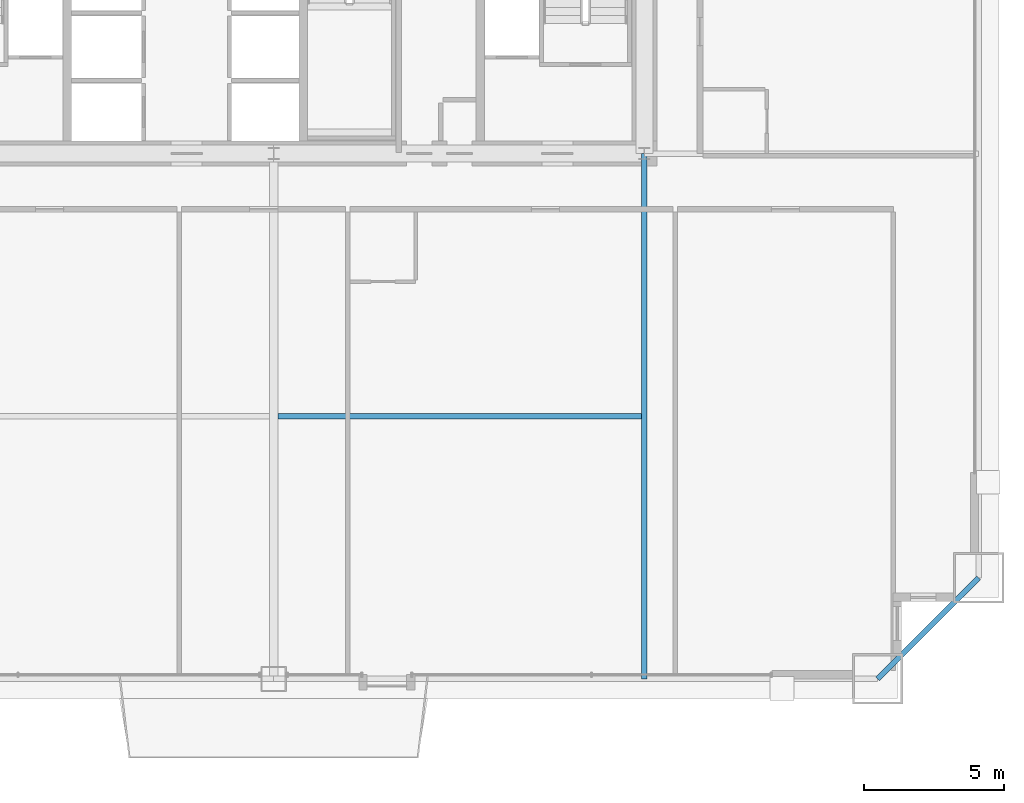
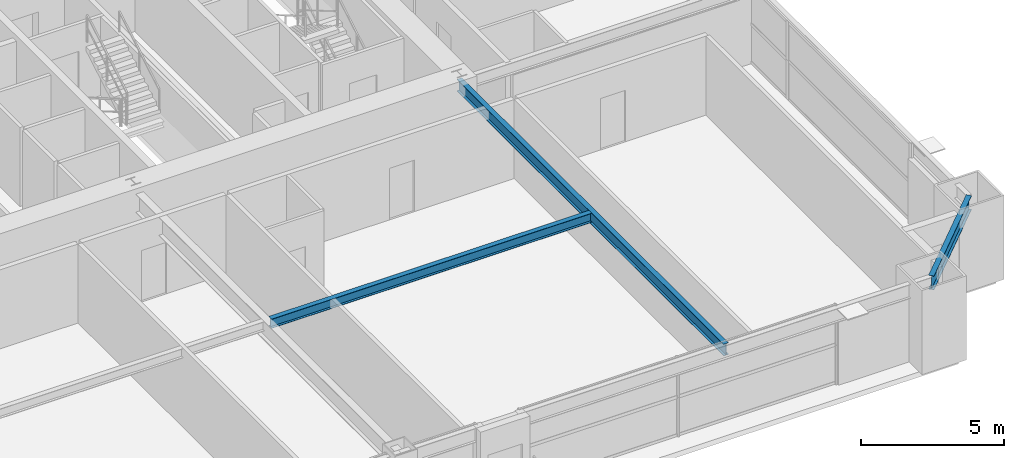
# One storey, part 16 of 43: 3 beams.
"""IFC4 building model written with IfcOpenShell, lengths in metres."""

from ifc_helpers import new_model, si_unit, direction, frame, origin, origin_2d, place, context, subcontext, project, spatial, i_section, extrude, source, transform, mapped, material, material_profile, profile_set, type_object, element, save


model = new_model("IFC4")

# Units and contexts
model_context = context("Model", 3, precision=1e-05, world=origin(), true_north=direction((0.0, 1.0)))
body_context = subcontext(model_context, "Body", "Model", "MODEL_VIEW")
ifc_project = project(units=[si_unit("LENGTHUNIT", "METRE"), si_unit("AREAUNIT", "SQUARE_METRE"), si_unit("VOLUMEUNIT", "CUBIC_METRE"), si_unit("PLANEANGLEUNIT", "RADIAN"), si_unit("MASSUNIT", "GRAM", prefix="KILO"), si_unit("THERMODYNAMICTEMPERATUREUNIT", "KELVIN"), si_unit("POWERUNIT", "WATT")], contexts=[model_context])

# Site, building, storey
site_placement = place(None, origin())
site = spatial("IfcSite", under=ifc_project, at=site_placement, CompositionType="ELEMENT")
building_placement = place(site_placement, origin())
building = spatial("IfcBuilding", under=site, at=building_placement, Name="Yuzanri Waterfront Tower", CompositionType="ELEMENT")
storey_placement = place(building_placement, frame((0.0, 0.0, 78.39990234375)))
storey = spatial("IfcBuildingStorey", under=building, at=storey_placement, Name="L20", CompositionType="ELEMENT", Elevation=78.39990234375)

# Beams
ifc_material_1 = material(Name="Steel Q355B", Category="steel")
ifc_material_profile_1 = material_profile(ifc_material_1, i_section(OverallWidth=0.199951171875, OverallDepth=0.60009765625, WebThickness=0.010986328125, FlangeThickness=0.01708984375, at=origin_2d()), Name="HN 600x200x11x17")
ifc_profile_set_1 = profile_set([ifc_material_profile_1], Name="Steel Q355B")
beam_type_1 = type_object("IfcBeamType", Name="Perimeter Spandrel Q355B HN 600x200", PredefinedType="SPANDREL", material=ifc_profile_set_1)
shared_shape_1 = source(origin(), body_context, "Body", "SweptSolid", [
    extrude(i_section(OverallWidth=0.199951171875, OverallDepth=0.60009765625, WebThickness=0.010986328125, FlangeThickness=0.01708984375, at=origin_2d()), origin(), (0.0, 0.0, 1.0), 5.09130859375),
])
beam_1_placement = place(storey_placement, frame((58.5, 0.699951171875, 3.080078125), z_axis=(0.707106781187, 0.707106781187, 0.0), x_axis=(-0.707106781187, 0.707106781187, 0.0)))
element("IfcBeam", 1, at=beam_1_placement, inside=storey, type_object=beam_type_1, Name="L20 Perimeter Spandrel S3-E1", PredefinedType="SPANDREL", context=body_context, shape_type="MappedRepresentation", body=[
    mapped(shared_shape_1, transform((0.0, 0.0, 0.0), scale=1.0)),
])
ifc_material_2 = material(Name="Steel Q355B", Category="steel")
ifc_material_profile_2 = material_profile(ifc_material_2, i_section(OverallWidth=0.199951171875, OverallDepth=0.5, WebThickness=0.010009765625, FlangeThickness=0.01611328125, at=origin_2d()), Name="HN 500x200x10x16")
ifc_profile_set_2 = profile_set([ifc_material_profile_2], Name="Steel Q355B")
beam_type_2 = type_object("IfcBeamType", Name="Secondary Floor Beam Q355B HN 500x200", PredefinedType="BEAM", material=ifc_profile_set_2)
shared_shape_2 = source(origin(), body_context, "Body", "SweptSolid", [
    extrude(i_section(OverallWidth=0.199951171875, OverallDepth=0.5, WebThickness=0.010009765625, FlangeThickness=0.01611328125, at=origin_2d()), origin(), (0.0, 0.0, 1.0), 18.699951171875),
])
beam_2_placement = place(storey_placement, frame((50.199951171875, 19.39990234375, 3.130126953125), z_axis=(0.0, -1.0, 0.0), x_axis=(1.0, 0.0, 0.0)))
element("IfcBeam", 2, at=beam_2_placement, inside=storey, type_object=beam_type_2, Name="L20 South-East Core Line Beam", PredefinedType="BEAM", context=body_context, shape_type="MappedRepresentation", body=[
    mapped(shared_shape_2, transform((0.0, 0.0, 0.0), scale=1.0)),
])
ifc_material_3 = material(Name="Steel Q355B", Category="steel")
ifc_material_profile_3 = material_profile(ifc_material_3, i_section(OverallWidth=0.199951171875, OverallDepth=0.39990234375, WebThickness=0.008056640625, FlangeThickness=0.012939453125, at=origin_2d()), Name="HN 400x200x8x13")
ifc_profile_set_3 = profile_set([ifc_material_profile_3], Name="Steel Q355B")
beam_type_3 = type_object("IfcBeamType", Name="Floor Joist Q355B HN 400x200", PredefinedType="JOIST", material=ifc_profile_set_3)
shared_shape_3 = source(origin(), body_context, "Body", "SweptSolid", [
    extrude(i_section(OverallWidth=0.199951171875, OverallDepth=0.39990234375, WebThickness=0.008056640625, FlangeThickness=0.012939453125, at=origin_2d()), origin(), (0.0, 0.0, 1.0), 12.9501953125),
])
beam_3_placement = place(storey_placement, frame((37.14990234375, 10.050048828125, 3.18017578125), z_axis=(1.0, 0.0, 0.0), x_axis=(0.0, 1.0, 0.0)))
element("IfcBeam", 3, at=beam_3_placement, inside=storey, type_object=beam_type_3, Name="L20 South Bay Joist E", PredefinedType="JOIST", context=body_context, shape_type="MappedRepresentation", body=[
    mapped(shared_shape_3, transform((0.0, 0.0, 0.0), scale=1.0)),
])

save(model, "model.ifc")
